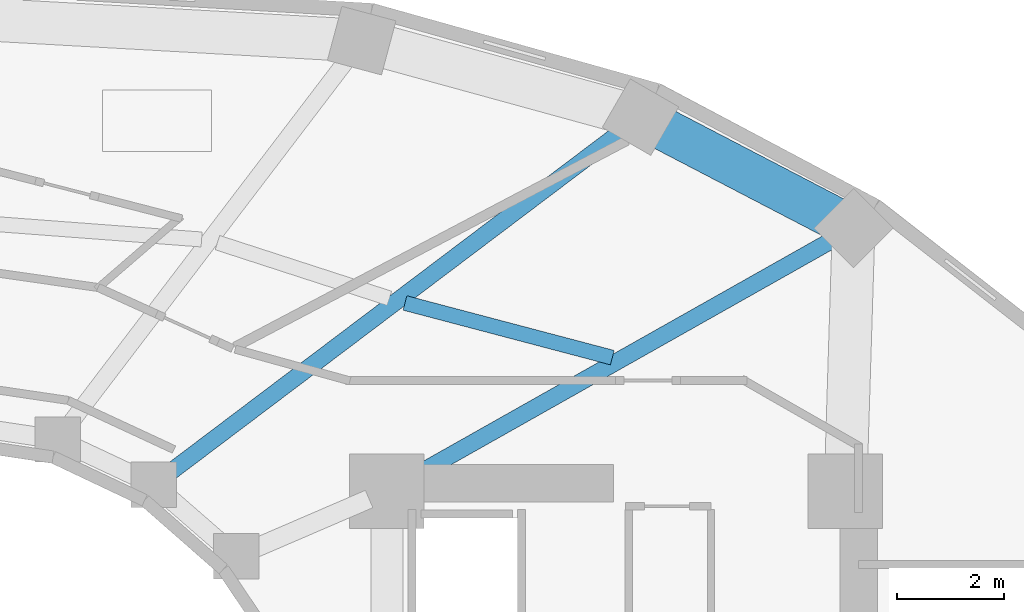
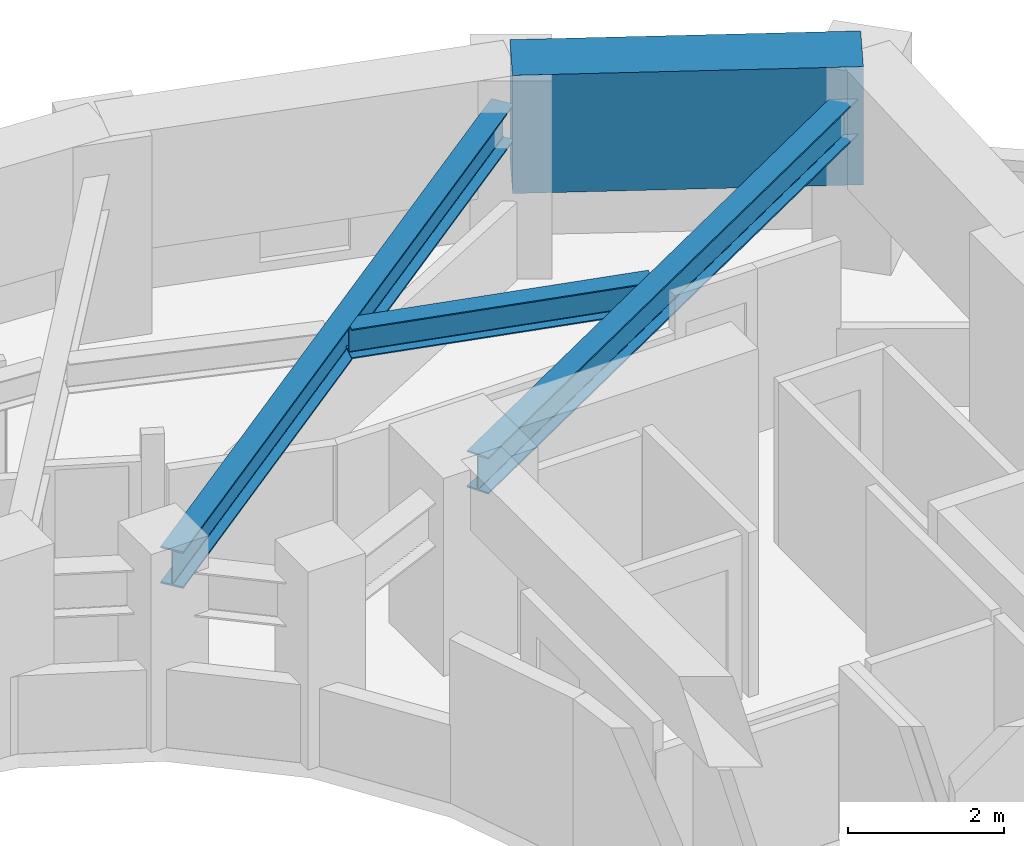
# One storey, part 4 of 14: 4 beams.
"""IFC4 building model written with IfcOpenShell, lengths in metres."""

from ifc_helpers import new_model, si_unit, direction, frame, origin, origin_2d, place, context, subcontext, project, spatial, rectangle, i_section, extrude, material, material_profile, profile_set, type_object, element, save


model = new_model("IFC4")

# Units and contexts
model_context = context("Model", 3, precision=1e-05, world=origin(), true_north=direction((0.0, 1.0)))
body_context = subcontext(model_context, "Body", "Model", "MODEL_VIEW")
ifc_project = project(units=[si_unit("LENGTHUNIT", "METRE"), si_unit("AREAUNIT", "SQUARE_METRE"), si_unit("VOLUMEUNIT", "CUBIC_METRE"), si_unit("PLANEANGLEUNIT", "RADIAN"), si_unit("MASSUNIT", "GRAM", prefix="KILO")], contexts=[model_context])

# Site, building, storey
site_placement = place(None, origin())
site = spatial("IfcSite", under=ifc_project, at=site_placement, CompositionType="ELEMENT")
building_placement = place(site_placement, origin())
building = spatial("IfcBuilding", under=site, at=building_placement, Name="Solvane Sanctuary Tower", CompositionType="ELEMENT")
storey_placement = place(building_placement, frame((0.0, 0.0, 91.800048828125)))
storey = spatial("IfcBuildingStorey", under=building, at=storey_placement, Name="L27", CompositionType="ELEMENT", Elevation=91.800048828125)

# Beams
ifc_material_1 = material(Name="Steel ASTM A992 Grade 50", Category="steel")
ifc_material_profile_1 = material_profile(ifc_material_1, i_section(OverallWidth=0.31494140625, OverallDepth=0.575927734375, WebThickness=0.01513671875, FlangeThickness=0.0244140625, FilletRadius=0.014892578125, at=origin_2d()), Name="W21X122")
ifc_profile_set_1 = profile_set([ifc_material_profile_1], Name="Steel ASTM A992 Grade 50")
beam_type_1 = type_object("IfcBeamType", Name="Beam B-RAD-Z2 W21X122", PredefinedType="BEAM", material=ifc_profile_set_1)
beam_1_placement = place(storey_placement, frame((40.41357421875, 30.376953125, 2.31005859375), z_axis=(0.870960247151, 0.491353485673, 0.0), x_axis=(-0.491353485673, 0.870960247151, 0.0)))
element("IfcBeam", 1, at=beam_1_placement, inside=storey, type_object=beam_type_1, Name="L27 Radial Composite Floor Beam 01", PredefinedType="BEAM", context=body_context, shape_type="SweptSolid", body=[
    extrude(i_section(OverallWidth=0.31494140625, OverallDepth=0.575927734375, WebThickness=0.01513671875, FlangeThickness=0.0244140625, FilletRadius=0.014892578125, at=origin_2d()), origin(), (0.0, 0.0, 1.0), 9.409912109375),
])
beam_2_placement = place(storey_placement, frame((35.95361328125, 30.495361328125, 2.31005859375), z_axis=(0.798116040134, 0.602503764703, 0.0), x_axis=(-0.602503764703, 0.798116040134, 0.0)))
element("IfcBeam", 2, at=beam_2_placement, inside=storey, type_object=beam_type_1, Name="L27 Radial Composite Floor Beam 02", PredefinedType="BEAM", context=body_context, shape_type="SweptSolid", body=[
    extrude(i_section(OverallWidth=0.31494140625, OverallDepth=0.575927734375, WebThickness=0.01513671875, FlangeThickness=0.0244140625, FilletRadius=0.014892578125, at=origin_2d()), origin(), (0.0, 0.0, 1.0), 10.876953125),
])
ifc_material_profile_2 = material_profile(ifc_material_1, i_section(OverallWidth=0.280029296875, OverallDepth=0.462890625, WebThickness=0.0107421875, FlangeThickness=0.017333984375, FilletRadius=0.013916015625, at=origin_2d()), Name="W18X76")
ifc_profile_set_2 = profile_set([ifc_material_profile_2], Name="Steel ASTM A992 Grade 50")
beam_type_2 = type_object("IfcBeamType", Name="Beam B-SEC-JOIST W18X76", PredefinedType="JOIST", material=ifc_profile_set_2)
beam_3_placement = place(storey_placement, frame((40.441650390625, 33.733154296875, 2.366455078125), z_axis=(0.966943832831, -0.2549894589, 0.0), x_axis=(0.2549894589, 0.966943832831, 0.0)))
element("IfcBeam", 3, at=beam_3_placement, inside=storey, type_object=beam_type_2, Name="L27 Secondary Circumferential Joist 02-01", PredefinedType="JOIST", context=body_context, shape_type="SweptSolid", body=[
    extrude(i_section(OverallWidth=0.280029296875, OverallDepth=0.462890625, WebThickness=0.0107421875, FlangeThickness=0.017333984375, FilletRadius=0.013916015625, at=origin_2d()), origin(), (0.0, 0.0, 1.0), 4.020263671875),
])
ifc_material_2 = material(Name="Concrete C70/85", Category="concrete")
ifc_material_profile_3 = material_profile(ifc_material_2, rectangle(XDim=0.800048828125, YDim=1.85009765625, at=origin_2d()), Name="RC800X1850")
ifc_profile_set_3 = profile_set([ifc_material_profile_3], Name="Concrete C70/85")
beam_type_3 = type_object("IfcBeamType", Name="Beam B-XFER-BLK RC800X1850", PredefinedType="BEAM", material=ifc_profile_set_3)
beam_4_placement = place(storey_placement, frame((44.8583984375, 37.217529296875, 2.175048828125), z_axis=(0.887022336415, -0.46172651505, 0.0), x_axis=(0.46172651505, 0.887022336415, 0.0)))
element("IfcBeam", 4, at=beam_4_placement, inside=storey, type_object=beam_type_3, Name="L27 Perimeter Step Transfer Ring NTC02-NTC01", PredefinedType="BEAM", context=body_context, shape_type="SweptSolid", body=[
    extrude(rectangle(XDim=0.800048828125, YDim=1.85009765625, at=origin_2d()), origin(), (0.0, 0.0, 1.0), 4.50341796875),
])

save(model, "model.ifc")
